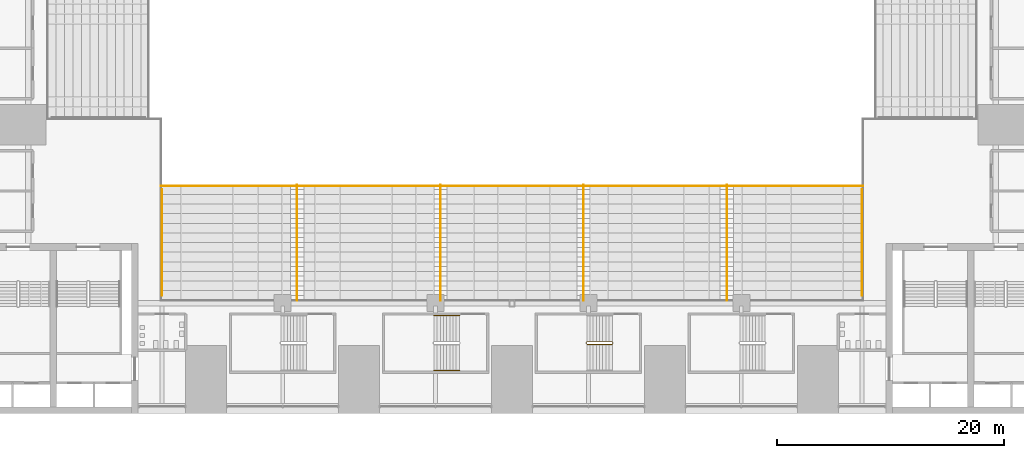
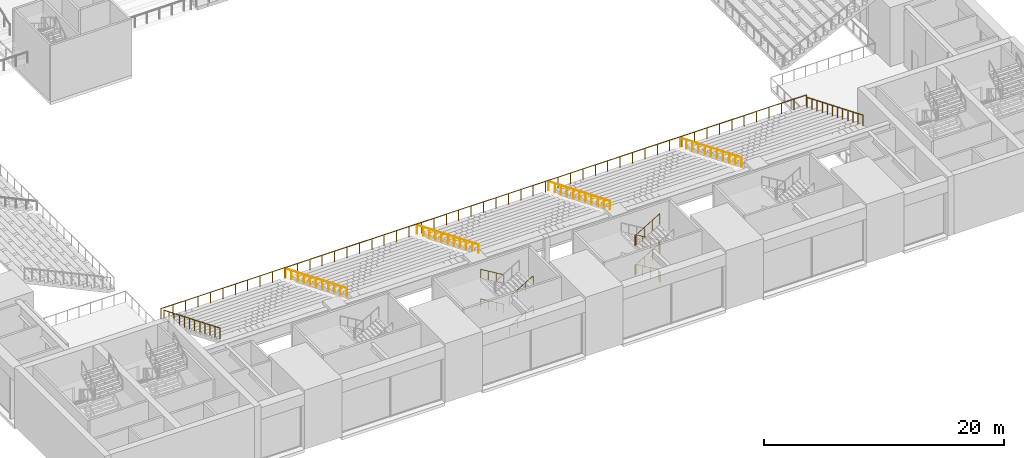
# One storey, part 52 of 61: 4 railings.
"""IFC4 building model written with IfcOpenShell, lengths in metres."""

from ifc_helpers import new_model, si_unit, direction, frame, origin, origin_2d, place, context, subcontext, project, spatial, circle, extrude, material, type_object, element, save


model = new_model("IFC4")

# Units and contexts
model_context = context("Model", 3, precision=1e-05, world=origin(), true_north=direction((0.0, 1.0)))
body_context = subcontext(model_context, "Body", "Model", "MODEL_VIEW")
ifc_project = project(units=[si_unit("LENGTHUNIT", "METRE"), si_unit("AREAUNIT", "SQUARE_METRE"), si_unit("VOLUMEUNIT", "CUBIC_METRE"), si_unit("PLANEANGLEUNIT", "RADIAN"), si_unit("MASSUNIT", "GRAM", prefix="KILO")], contexts=[model_context])

# Site, building, storey
site_placement = place(None, origin())
site = spatial("IfcSite", under=ifc_project, at=site_placement, CompositionType="ELEMENT")
building_placement = place(site_placement, origin())
building = spatial("IfcBuilding", under=site, at=building_placement, Name="Corbelhall Arena Tower", CompositionType="ELEMENT")
storey_placement = place(building_placement, frame((0.0, 0.0, 31.0)))
storey = spatial("IfcBuildingStorey", under=building, at=storey_placement, Name="L04", CompositionType="ELEMENT", Elevation=31.0)

# Railings
ifc_material_1 = material(Name="Stainless steel A4 and laminated glass", Category="steel")
railing_type_1 = type_object("IfcRailingType", Name="AR-GUARD-GLASS", PredefinedType="GUARDRAIL", material=ifc_material_1)
railing_1_placement = place(storey_placement, frame((31.0, -18.89990234375, 1.800048828125)))
element("IfcRailing", 1, at=railing_1_placement, inside=storey, type_object=railing_type_1, Name="Tier guards US", PredefinedType="GUARDRAIL", context=body_context, shape_type="SweptSolid", body=[
    extrude(circle(Radius=0.02392578125, at=origin_2d()), frame((0.0, 0.0, 1.076171875), z_axis=(-1.0, 0.0, 0.0), x_axis=(0.0, -1.0, 0.0)), (0.0, 0.0, 1.0), 62.0),
    extrude(circle(Radius=0.02392578125, at=origin_2d()), frame((-0.1201171875, -0.3251953125, 1.076171875), z_axis=(0.0, -0.924711104172, 0.38066963869), x_axis=(1.0, 0.0, 0.0)), (0.0, 0.0, 1.0), 0.9189453125),
    extrude(circle(Radius=0.02392578125, at=origin_2d()), frame((-0.1201171875, -1.175048828125, 1.42578125), z_axis=(0.0, -0.924656098445, 0.380803229515), x_axis=(1.0, 0.0, 0.0)), (0.0, 0.0, 1.0), 0.91943359375),
    extrude(circle(Radius=0.02392578125, at=origin_2d()), frame((-0.1201171875, -2.025146484375, 1.77587890625), z_axis=(0.0, -0.924617576102, 0.380896754993), x_axis=(1.0, 0.0, 0.0)), (0.0, 0.0, 1.0), 0.919189453125),
    extrude(circle(Radius=0.02392578125, at=origin_2d()), frame((-0.1201171875, -2.875, 2.1259765625), z_axis=(0.0, -0.924749584479, 0.380576150074), x_axis=(1.0, 0.0, 0.0)), (0.0, 0.0, 1.0), 0.919189453125),
    extrude(circle(Radius=0.02392578125, at=origin_2d()), frame((-0.1201171875, -3.72509765625, 2.47607421875), z_axis=(0.0, -0.924656098445, 0.380803229515), x_axis=(1.0, 0.0, 0.0)), (0.0, 0.0, 1.0), 0.91943359375),
    extrude(circle(Radius=0.02392578125, at=origin_2d()), frame((-0.1201171875, -4.5751953125, 2.826171875), z_axis=(0.0, -0.924711104172, 0.38066963869), x_axis=(1.0, 0.0, 0.0)), (0.0, 0.0, 1.0), 0.9189453125),
    extrude(circle(Radius=0.02392578125, at=origin_2d()), frame((-0.1201171875, -5.425048828125, 3.17578125), z_axis=(0.0, -0.924656098445, 0.380803229515), x_axis=(1.0, 0.0, 0.0)), (0.0, 0.0, 1.0), 0.91943359375),
    extrude(circle(Radius=0.02392578125, at=origin_2d()), frame((-0.1201171875, -6.275146484375, 3.52587890625), z_axis=(0.0, -0.924617576102, 0.380896754993), x_axis=(1.0, 0.0, 0.0)), (0.0, 0.0, 1.0), 0.919189453125),
    extrude(circle(Radius=0.02392578125, at=origin_2d()), frame((-0.1201171875, -7.125, 3.8759765625), z_axis=(0.0, -0.924749584479, 0.380576150074), x_axis=(1.0, 0.0, 0.0)), (0.0, 0.0, 1.0), 0.919189453125),
    extrude(circle(Radius=0.02392578125, at=origin_2d()), frame((-0.1201171875, -7.97509765625, 4.22607421875), z_axis=(0.0, -0.924656098445, 0.380803229515), x_axis=(1.0, 0.0, 0.0)), (0.0, 0.0, 1.0), 0.91943359375),
    extrude(circle(Radius=0.02392578125, at=origin_2d()), frame((-0.1201171875, -8.8251953125, 4.576171875), z_axis=(0.0, -0.924711104172, 0.38066963869), x_axis=(1.0, 0.0, 0.0)), (0.0, 0.0, 1.0), 0.9189453125),
    extrude(circle(Radius=0.02392578125, at=origin_2d()), frame((-61.8798828125, -0.3251953125, 1.076171875), z_axis=(0.0, -0.924711104172, 0.38066963869), x_axis=(1.0, 0.0, 0.0)), (0.0, 0.0, 1.0), 0.9189453125),
    extrude(circle(Radius=0.02392578125, at=origin_2d()), frame((-61.8798828125, -1.175048828125, 1.42578125), z_axis=(0.0, -0.924656098445, 0.380803229515), x_axis=(1.0, 0.0, 0.0)), (0.0, 0.0, 1.0), 0.91943359375),
    extrude(circle(Radius=0.02392578125, at=origin_2d()), frame((-61.8798828125, -2.025146484375, 1.77587890625), z_axis=(0.0, -0.924617576102, 0.380896754993), x_axis=(1.0, 0.0, 0.0)), (0.0, 0.0, 1.0), 0.919189453125),
    extrude(circle(Radius=0.02392578125, at=origin_2d()), frame((-61.8798828125, -2.875, 2.1259765625), z_axis=(0.0, -0.924749584479, 0.380576150074), x_axis=(1.0, 0.0, 0.0)), (0.0, 0.0, 1.0), 0.919189453125),
    extrude(circle(Radius=0.02392578125, at=origin_2d()), frame((-61.8798828125, -3.72509765625, 2.47607421875), z_axis=(0.0, -0.924656098445, 0.380803229515), x_axis=(1.0, 0.0, 0.0)), (0.0, 0.0, 1.0), 0.91943359375),
    extrude(circle(Radius=0.02392578125, at=origin_2d()), frame((-61.8798828125, -4.5751953125, 2.826171875), z_axis=(0.0, -0.924711104172, 0.38066963869), x_axis=(1.0, 0.0, 0.0)), (0.0, 0.0, 1.0), 0.9189453125),
    extrude(circle(Radius=0.02392578125, at=origin_2d()), frame((-61.8798828125, -5.425048828125, 3.17578125), z_axis=(0.0, -0.924656098445, 0.380803229515), x_axis=(1.0, 0.0, 0.0)), (0.0, 0.0, 1.0), 0.91943359375),
    extrude(circle(Radius=0.02392578125, at=origin_2d()), frame((-61.8798828125, -6.275146484375, 3.52587890625), z_axis=(0.0, -0.924617576102, 0.380896754993), x_axis=(1.0, 0.0, 0.0)), (0.0, 0.0, 1.0), 0.919189453125),
    extrude(circle(Radius=0.02392578125, at=origin_2d()), frame((-61.8798828125, -7.125, 3.8759765625), z_axis=(0.0, -0.924749584479, 0.380576150074), x_axis=(1.0, 0.0, 0.0)), (0.0, 0.0, 1.0), 0.919189453125),
    extrude(circle(Radius=0.02392578125, at=origin_2d()), frame((-61.8798828125, -7.97509765625, 4.22607421875), z_axis=(0.0, -0.924656098445, 0.380803229515), x_axis=(1.0, 0.0, 0.0)), (0.0, 0.0, 1.0), 0.91943359375),
    extrude(circle(Radius=0.02392578125, at=origin_2d()), frame((-61.8798828125, -8.8251953125, 4.576171875), z_axis=(0.0, -0.924711104172, 0.38066963869), x_axis=(1.0, 0.0, 0.0)), (0.0, 0.0, 1.0), 0.9189453125),
    extrude(circle(Radius=0.02099609375, at=origin_2d()), origin(), (0.0, 0.0, 1.0), 1.052001953125),
    extrude(circle(Radius=0.02099609375, at=origin_2d()), frame((-1.1923828125, 0.0, 0.0)), (0.0, 0.0, 1.0), 1.052001953125),
    extrude(circle(Radius=0.02099609375, at=origin_2d()), frame((-2.384521484375, 0.0, 0.0)), (0.0, 0.0, 1.0), 1.052001953125),
    extrude(circle(Radius=0.02099609375, at=origin_2d()), frame((-3.576904296875, 0.0, 0.0)), (0.0, 0.0, 1.0), 1.052001953125),
    extrude(circle(Radius=0.02099609375, at=origin_2d()), frame((-4.769287109375, 0.0, 0.0)), (0.0, 0.0, 1.0), 1.052001953125),
    extrude(circle(Radius=0.02099609375, at=origin_2d()), frame((-5.96142578125, 0.0, 0.0)), (0.0, 0.0, 1.0), 1.052001953125),
    extrude(circle(Radius=0.02099609375, at=origin_2d()), frame((-7.15380859375, 0.0, 0.0)), (0.0, 0.0, 1.0), 1.052001953125),
    extrude(circle(Radius=0.02099609375, at=origin_2d()), frame((-8.34619140625, 0.0, 0.0)), (0.0, 0.0, 1.0), 1.052001953125),
    extrude(circle(Radius=0.02099609375, at=origin_2d()), frame((-9.53857421875, 0.0, 0.0)), (0.0, 0.0, 1.0), 1.052001953125),
    extrude(circle(Radius=0.02099609375, at=origin_2d()), frame((-10.730712890625, 0.0, 0.0)), (0.0, 0.0, 1.0), 1.052001953125),
    extrude(circle(Radius=0.02099609375, at=origin_2d()), frame((-11.923095703125, 0.0, 0.0)), (0.0, 0.0, 1.0), 1.052001953125),
    extrude(circle(Radius=0.02099609375, at=origin_2d()), frame((-13.115478515625, 0.0, 0.0)), (0.0, 0.0, 1.0), 1.052001953125),
    extrude(circle(Radius=0.02099609375, at=origin_2d()), frame((-14.3076171875, 0.0, 0.0)), (0.0, 0.0, 1.0), 1.052001953125),
    extrude(circle(Radius=0.02099609375, at=origin_2d()), frame((-15.5, 0.0, 0.0)), (0.0, 0.0, 1.0), 1.052001953125),
    extrude(circle(Radius=0.02099609375, at=origin_2d()), frame((-16.6923828125, 0.0, 0.0)), (0.0, 0.0, 1.0), 1.052001953125),
    extrude(circle(Radius=0.02099609375, at=origin_2d()), frame((-17.884521484375, 0.0, 0.0)), (0.0, 0.0, 1.0), 1.052001953125),
    extrude(circle(Radius=0.02099609375, at=origin_2d()), frame((-19.076904296875, 0.0, 0.0)), (0.0, 0.0, 1.0), 1.052001953125),
    extrude(circle(Radius=0.02099609375, at=origin_2d()), frame((-20.269287109375, 0.0, 0.0)), (0.0, 0.0, 1.0), 1.052001953125),
    extrude(circle(Radius=0.02099609375, at=origin_2d()), frame((-21.46142578125, 0.0, 0.0)), (0.0, 0.0, 1.0), 1.052001953125),
    extrude(circle(Radius=0.02099609375, at=origin_2d()), frame((-22.65380859375, 0.0, 0.0)), (0.0, 0.0, 1.0), 1.052001953125),
    extrude(circle(Radius=0.02099609375, at=origin_2d()), frame((-23.84619140625, 0.0, 0.0)), (0.0, 0.0, 1.0), 1.052001953125),
    extrude(circle(Radius=0.02099609375, at=origin_2d()), frame((-25.03857421875, 0.0, 0.0)), (0.0, 0.0, 1.0), 1.052001953125),
    extrude(circle(Radius=0.02099609375, at=origin_2d()), frame((-26.230712890625, 0.0, 0.0)), (0.0, 0.0, 1.0), 1.052001953125),
    extrude(circle(Radius=0.02099609375, at=origin_2d()), frame((-27.423095703125, 0.0, 0.0)), (0.0, 0.0, 1.0), 1.052001953125),
    extrude(circle(Radius=0.02099609375, at=origin_2d()), frame((-28.615478515625, 0.0, 0.0)), (0.0, 0.0, 1.0), 1.052001953125),
    extrude(circle(Radius=0.02099609375, at=origin_2d()), frame((-29.8076171875, 0.0, 0.0)), (0.0, 0.0, 1.0), 1.052001953125),
    extrude(circle(Radius=0.02099609375, at=origin_2d()), frame((-31.0, 0.0, 0.0)), (0.0, 0.0, 1.0), 1.052001953125),
    extrude(circle(Radius=0.02099609375, at=origin_2d()), frame((-32.1923828125, 0.0, 0.0)), (0.0, 0.0, 1.0), 1.052001953125),
    extrude(circle(Radius=0.02099609375, at=origin_2d()), frame((-33.384521484375, 0.0, 0.0)), (0.0, 0.0, 1.0), 1.052001953125),
    extrude(circle(Radius=0.02099609375, at=origin_2d()), frame((-34.576904296875, 0.0, 0.0)), (0.0, 0.0, 1.0), 1.052001953125),
    extrude(circle(Radius=0.02099609375, at=origin_2d()), frame((-35.769287109375, 0.0, 0.0)), (0.0, 0.0, 1.0), 1.052001953125),
    extrude(circle(Radius=0.02099609375, at=origin_2d()), frame((-36.96142578125, 0.0, 0.0)), (0.0, 0.0, 1.0), 1.052001953125),
    extrude(circle(Radius=0.02099609375, at=origin_2d()), frame((-38.15380859375, 0.0, 0.0)), (0.0, 0.0, 1.0), 1.052001953125),
    extrude(circle(Radius=0.02099609375, at=origin_2d()), frame((-39.34619140625, 0.0, 0.0)), (0.0, 0.0, 1.0), 1.052001953125),
    extrude(circle(Radius=0.02099609375, at=origin_2d()), frame((-40.53857421875, 0.0, 0.0)), (0.0, 0.0, 1.0), 1.052001953125),
    extrude(circle(Radius=0.02099609375, at=origin_2d()), frame((-41.730712890625, 0.0, 0.0)), (0.0, 0.0, 1.0), 1.052001953125),
    extrude(circle(Radius=0.02099609375, at=origin_2d()), frame((-42.923095703125, 0.0, 0.0)), (0.0, 0.0, 1.0), 1.052001953125),
    extrude(circle(Radius=0.02099609375, at=origin_2d()), frame((-44.115478515625, 0.0, 0.0)), (0.0, 0.0, 1.0), 1.052001953125),
    extrude(circle(Radius=0.02099609375, at=origin_2d()), frame((-45.3076171875, 0.0, 0.0)), (0.0, 0.0, 1.0), 1.052001953125),
    extrude(circle(Radius=0.02099609375, at=origin_2d()), frame((-46.5, 0.0, 0.0)), (0.0, 0.0, 1.0), 1.052001953125),
    extrude(circle(Radius=0.02099609375, at=origin_2d()), frame((-47.6923828125, 0.0, 0.0)), (0.0, 0.0, 1.0), 1.052001953125),
    extrude(circle(Radius=0.02099609375, at=origin_2d()), frame((-48.884521484375, 0.0, 0.0)), (0.0, 0.0, 1.0), 1.052001953125),
    extrude(circle(Radius=0.02099609375, at=origin_2d()), frame((-50.076904296875, 0.0, 0.0)), (0.0, 0.0, 1.0), 1.052001953125),
    extrude(circle(Radius=0.02099609375, at=origin_2d()), frame((-51.269287109375, 0.0, 0.0)), (0.0, 0.0, 1.0), 1.052001953125),
    extrude(circle(Radius=0.02099609375, at=origin_2d()), frame((-52.46142578125, 0.0, 0.0)), (0.0, 0.0, 1.0), 1.052001953125),
    extrude(circle(Radius=0.02099609375, at=origin_2d()), frame((-53.65380859375, 0.0, 0.0)), (0.0, 0.0, 1.0), 1.052001953125),
    extrude(circle(Radius=0.02099609375, at=origin_2d()), frame((-54.84619140625, 0.0, 0.0)), (0.0, 0.0, 1.0), 1.052001953125),
    extrude(circle(Radius=0.02099609375, at=origin_2d()), frame((-56.03857421875, 0.0, 0.0)), (0.0, 0.0, 1.0), 1.052001953125),
    extrude(circle(Radius=0.02099609375, at=origin_2d()), frame((-57.230712890625, 0.0, 0.0)), (0.0, 0.0, 1.0), 1.052001953125),
    extrude(circle(Radius=0.02099609375, at=origin_2d()), frame((-58.423095703125, 0.0, 0.0)), (0.0, 0.0, 1.0), 1.052001953125),
    extrude(circle(Radius=0.02099609375, at=origin_2d()), frame((-59.615478515625, 0.0, 0.0)), (0.0, 0.0, 1.0), 1.052001953125),
    extrude(circle(Radius=0.02099609375, at=origin_2d()), frame((-60.8076171875, 0.0, 0.0)), (0.0, 0.0, 1.0), 1.052001953125),
    extrude(circle(Radius=0.02099609375, at=origin_2d()), frame((-62.0, 0.0, 0.0)), (0.0, 0.0, 1.0), 1.052001953125),
    extrude(circle(Radius=0.02099609375, at=origin_2d()), frame((-0.1201171875, -0.3251953125, 0.0)), (0.0, 0.0, 1.0), 1.052001953125),
    extrude(circle(Radius=0.02099609375, at=origin_2d()), frame((-0.1201171875, -1.175048828125, 0.349853515625)), (0.0, 0.0, 1.0), 1.052001953125),
    extrude(circle(Radius=0.02099609375, at=origin_2d()), frame((-0.1201171875, -2.025146484375, 0.699951171875)), (0.0, 0.0, 1.0), 1.052001953125),
    extrude(circle(Radius=0.02099609375, at=origin_2d()), frame((-0.1201171875, -2.875, 1.050048828125)), (0.0, 0.0, 1.0), 1.052001953125),
    extrude(circle(Radius=0.02099609375, at=origin_2d()), frame((-0.1201171875, -3.72509765625, 1.39990234375)), (0.0, 0.0, 1.0), 1.052001953125),
    extrude(circle(Radius=0.02099609375, at=origin_2d()), frame((-0.1201171875, -4.5751953125, 1.75)), (0.0, 0.0, 1.0), 1.052001953125),
    extrude(circle(Radius=0.02099609375, at=origin_2d()), frame((-0.1201171875, -5.425048828125, 2.099853515625)), (0.0, 0.0, 1.0), 1.052001953125),
    extrude(circle(Radius=0.02099609375, at=origin_2d()), frame((-0.1201171875, -6.275146484375, 2.449951171875)), (0.0, 0.0, 1.0), 1.052001953125),
    extrude(circle(Radius=0.02099609375, at=origin_2d()), frame((-0.1201171875, -7.125, 2.800048828125)), (0.0, 0.0, 1.0), 1.052001953125),
    extrude(circle(Radius=0.02099609375, at=origin_2d()), frame((-0.1201171875, -7.97509765625, 3.14990234375)), (0.0, 0.0, 1.0), 1.052001953125),
    extrude(circle(Radius=0.02099609375, at=origin_2d()), frame((-0.1201171875, -8.8251953125, 3.5)), (0.0, 0.0, 1.0), 1.052001953125),
    extrude(circle(Radius=0.02099609375, at=origin_2d()), frame((-0.1201171875, -9.675048828125, 3.849853515625)), (0.0, 0.0, 1.0), 1.052001953125),
    extrude(circle(Radius=0.02099609375, at=origin_2d()), frame((-61.8798828125, -0.3251953125, 0.0)), (0.0, 0.0, 1.0), 1.052001953125),
    extrude(circle(Radius=0.02099609375, at=origin_2d()), frame((-61.8798828125, -1.175048828125, 0.349853515625)), (0.0, 0.0, 1.0), 1.052001953125),
    extrude(circle(Radius=0.02099609375, at=origin_2d()), frame((-61.8798828125, -2.025146484375, 0.699951171875)), (0.0, 0.0, 1.0), 1.052001953125),
    extrude(circle(Radius=0.02099609375, at=origin_2d()), frame((-61.8798828125, -2.875, 1.050048828125)), (0.0, 0.0, 1.0), 1.052001953125),
    extrude(circle(Radius=0.02099609375, at=origin_2d()), frame((-61.8798828125, -3.72509765625, 1.39990234375)), (0.0, 0.0, 1.0), 1.052001953125),
    extrude(circle(Radius=0.02099609375, at=origin_2d()), frame((-61.8798828125, -4.5751953125, 1.75)), (0.0, 0.0, 1.0), 1.052001953125),
    extrude(circle(Radius=0.02099609375, at=origin_2d()), frame((-61.8798828125, -5.425048828125, 2.099853515625)), (0.0, 0.0, 1.0), 1.052001953125),
    extrude(circle(Radius=0.02099609375, at=origin_2d()), frame((-61.8798828125, -6.275146484375, 2.449951171875)), (0.0, 0.0, 1.0), 1.052001953125),
    extrude(circle(Radius=0.02099609375, at=origin_2d()), frame((-61.8798828125, -7.125, 2.800048828125)), (0.0, 0.0, 1.0), 1.052001953125),
    extrude(circle(Radius=0.02099609375, at=origin_2d()), frame((-61.8798828125, -7.97509765625, 3.14990234375)), (0.0, 0.0, 1.0), 1.052001953125),
    extrude(circle(Radius=0.02099609375, at=origin_2d()), frame((-61.8798828125, -8.8251953125, 3.5)), (0.0, 0.0, 1.0), 1.052001953125),
    extrude(circle(Radius=0.02099609375, at=origin_2d()), frame((-61.8798828125, -9.675048828125, 3.849853515625)), (0.0, 0.0, 1.0), 1.052001953125),
])
ifc_material_2 = material(Name="Stainless steel A4", Category="steel")
railing_type_2 = type_object("IfcRailingType", Name="AR-HANDRAIL-AISLE", PredefinedType="HANDRAIL", material=ifc_material_2)
railing_2_placement = place(storey_placement, frame((18.9599609375, -18.800048828125, 1.800048828125)))
element("IfcRailing", 2, at=railing_2_placement, inside=storey, type_object=railing_type_2, Name="Aisle handrails US", PredefinedType="HANDRAIL", context=body_context, shape_type="SweptSolid", body=[
    extrude(circle(Radius=0.02392578125, at=origin_2d()), frame((0.0, 0.0, 0.8759765625), z_axis=(0.0, -0.924679015208, 0.380747578894), x_axis=(1.0, 0.0, 0.0)), (0.0, 0.0, 1.0), 11.03076171875),
    extrude(circle(Radius=0.02392578125, at=origin_2d()), frame((-12.639892578125, 0.0, 0.8759765625), z_axis=(0.0, -0.924679015208, 0.380747578894), x_axis=(1.0, 0.0, 0.0)), (0.0, 0.0, 1.0), 11.03076171875),
    extrude(circle(Radius=0.02392578125, at=origin_2d()), frame((-25.280029296875, 0.0, 0.8759765625), z_axis=(0.0, -0.924679015208, 0.380747578894), x_axis=(1.0, 0.0, 0.0)), (0.0, 0.0, 1.0), 11.03076171875),
    extrude(circle(Radius=0.02392578125, at=origin_2d()), frame((-37.919921875, 0.0, 0.8759765625), z_axis=(0.0, -0.924679015208, 0.380747578894), x_axis=(1.0, 0.0, 0.0)), (0.0, 0.0, 1.0), 11.03076171875),
    extrude(circle(Radius=0.02099609375, at=origin_2d()), origin(), (0.0, 0.0, 1.0), 0.851806640625),
    extrude(circle(Radius=0.02099609375, at=origin_2d()), frame((0.0, -1.02001953125, 0.419921875)), (0.0, 0.0, 1.0), 0.851806640625),
    extrude(circle(Radius=0.02099609375, at=origin_2d()), frame((0.0, -2.0400390625, 0.840087890625)), (0.0, 0.0, 1.0), 0.851806640625),
    extrude(circle(Radius=0.02099609375, at=origin_2d()), frame((0.0, -3.06005859375, 1.260009765625)), (0.0, 0.0, 1.0), 0.851806640625),
    extrude(circle(Radius=0.02099609375, at=origin_2d()), frame((0.0, -4.080078125, 1.679931640625)), (0.0, 0.0, 1.0), 0.851806640625),
    extrude(circle(Radius=0.02099609375, at=origin_2d()), frame((0.0, -5.10009765625, 2.10009765625)), (0.0, 0.0, 1.0), 0.851806640625),
    extrude(circle(Radius=0.02099609375, at=origin_2d()), frame((0.0, -6.119873046875, 2.52001953125)), (0.0, 0.0, 1.0), 0.851806640625),
    extrude(circle(Radius=0.02099609375, at=origin_2d()), frame((0.0, -7.139892578125, 2.93994140625)), (0.0, 0.0, 1.0), 0.851806640625),
    extrude(circle(Radius=0.02099609375, at=origin_2d()), frame((0.0, -8.159912109375, 3.35986328125)), (0.0, 0.0, 1.0), 0.851806640625),
    extrude(circle(Radius=0.02099609375, at=origin_2d()), frame((0.0, -9.179931640625, 3.780029296875)), (0.0, 0.0, 1.0), 0.851806640625),
    extrude(circle(Radius=0.02099609375, at=origin_2d()), frame((0.0, -10.199951171875, 4.199951171875)), (0.0, 0.0, 1.0), 0.851806640625),
    extrude(circle(Radius=0.02099609375, at=origin_2d()), frame((-12.639892578125, 0.0, 0.0)), (0.0, 0.0, 1.0), 0.851806640625),
    extrude(circle(Radius=0.02099609375, at=origin_2d()), frame((-12.639892578125, -1.02001953125, 0.419921875)), (0.0, 0.0, 1.0), 0.851806640625),
    extrude(circle(Radius=0.02099609375, at=origin_2d()), frame((-12.639892578125, -2.0400390625, 0.840087890625)), (0.0, 0.0, 1.0), 0.851806640625),
    extrude(circle(Radius=0.02099609375, at=origin_2d()), frame((-12.639892578125, -3.06005859375, 1.260009765625)), (0.0, 0.0, 1.0), 0.851806640625),
    extrude(circle(Radius=0.02099609375, at=origin_2d()), frame((-12.639892578125, -4.080078125, 1.679931640625)), (0.0, 0.0, 1.0), 0.851806640625),
    extrude(circle(Radius=0.02099609375, at=origin_2d()), frame((-12.639892578125, -5.10009765625, 2.10009765625)), (0.0, 0.0, 1.0), 0.851806640625),
    extrude(circle(Radius=0.02099609375, at=origin_2d()), frame((-12.639892578125, -6.119873046875, 2.52001953125)), (0.0, 0.0, 1.0), 0.851806640625),
    extrude(circle(Radius=0.02099609375, at=origin_2d()), frame((-12.639892578125, -7.139892578125, 2.93994140625)), (0.0, 0.0, 1.0), 0.851806640625),
    extrude(circle(Radius=0.02099609375, at=origin_2d()), frame((-12.639892578125, -8.159912109375, 3.35986328125)), (0.0, 0.0, 1.0), 0.851806640625),
    extrude(circle(Radius=0.02099609375, at=origin_2d()), frame((-12.639892578125, -9.179931640625, 3.780029296875)), (0.0, 0.0, 1.0), 0.851806640625),
    extrude(circle(Radius=0.02099609375, at=origin_2d()), frame((-12.639892578125, -10.199951171875, 4.199951171875)), (0.0, 0.0, 1.0), 0.851806640625),
    extrude(circle(Radius=0.02099609375, at=origin_2d()), frame((-25.280029296875, 0.0, 0.0)), (0.0, 0.0, 1.0), 0.851806640625),
    extrude(circle(Radius=0.02099609375, at=origin_2d()), frame((-25.280029296875, -1.02001953125, 0.419921875)), (0.0, 0.0, 1.0), 0.851806640625),
    extrude(circle(Radius=0.02099609375, at=origin_2d()), frame((-25.280029296875, -2.0400390625, 0.840087890625)), (0.0, 0.0, 1.0), 0.851806640625),
    extrude(circle(Radius=0.02099609375, at=origin_2d()), frame((-25.280029296875, -3.06005859375, 1.260009765625)), (0.0, 0.0, 1.0), 0.851806640625),
    extrude(circle(Radius=0.02099609375, at=origin_2d()), frame((-25.280029296875, -4.080078125, 1.679931640625)), (0.0, 0.0, 1.0), 0.851806640625),
    extrude(circle(Radius=0.02099609375, at=origin_2d()), frame((-25.280029296875, -5.10009765625, 2.10009765625)), (0.0, 0.0, 1.0), 0.851806640625),
    extrude(circle(Radius=0.02099609375, at=origin_2d()), frame((-25.280029296875, -6.119873046875, 2.52001953125)), (0.0, 0.0, 1.0), 0.851806640625),
    extrude(circle(Radius=0.02099609375, at=origin_2d()), frame((-25.280029296875, -7.139892578125, 2.93994140625)), (0.0, 0.0, 1.0), 0.851806640625),
    extrude(circle(Radius=0.02099609375, at=origin_2d()), frame((-25.280029296875, -8.159912109375, 3.35986328125)), (0.0, 0.0, 1.0), 0.851806640625),
    extrude(circle(Radius=0.02099609375, at=origin_2d()), frame((-25.280029296875, -9.179931640625, 3.780029296875)), (0.0, 0.0, 1.0), 0.851806640625),
    extrude(circle(Radius=0.02099609375, at=origin_2d()), frame((-25.280029296875, -10.199951171875, 4.199951171875)), (0.0, 0.0, 1.0), 0.851806640625),
    extrude(circle(Radius=0.02099609375, at=origin_2d()), frame((-37.919921875, 0.0, 0.0)), (0.0, 0.0, 1.0), 0.851806640625),
    extrude(circle(Radius=0.02099609375, at=origin_2d()), frame((-37.919921875, -1.02001953125, 0.419921875)), (0.0, 0.0, 1.0), 0.851806640625),
    extrude(circle(Radius=0.02099609375, at=origin_2d()), frame((-37.919921875, -2.0400390625, 0.840087890625)), (0.0, 0.0, 1.0), 0.851806640625),
    extrude(circle(Radius=0.02099609375, at=origin_2d()), frame((-37.919921875, -3.06005859375, 1.260009765625)), (0.0, 0.0, 1.0), 0.851806640625),
    extrude(circle(Radius=0.02099609375, at=origin_2d()), frame((-37.919921875, -4.080078125, 1.679931640625)), (0.0, 0.0, 1.0), 0.851806640625),
    extrude(circle(Radius=0.02099609375, at=origin_2d()), frame((-37.919921875, -5.10009765625, 2.10009765625)), (0.0, 0.0, 1.0), 0.851806640625),
    extrude(circle(Radius=0.02099609375, at=origin_2d()), frame((-37.919921875, -6.119873046875, 2.52001953125)), (0.0, 0.0, 1.0), 0.851806640625),
    extrude(circle(Radius=0.02099609375, at=origin_2d()), frame((-37.919921875, -7.139892578125, 2.93994140625)), (0.0, 0.0, 1.0), 0.851806640625),
    extrude(circle(Radius=0.02099609375, at=origin_2d()), frame((-37.919921875, -8.159912109375, 3.35986328125)), (0.0, 0.0, 1.0), 0.851806640625),
    extrude(circle(Radius=0.02099609375, at=origin_2d()), frame((-37.919921875, -9.179931640625, 3.780029296875)), (0.0, 0.0, 1.0), 0.851806640625),
    extrude(circle(Radius=0.02099609375, at=origin_2d()), frame((-37.919921875, -10.199951171875, 4.199951171875)), (0.0, 0.0, 1.0), 0.851806640625),
])
railing_type_3 = type_object("IfcRailingType", Name="AR-STAIR-GUARD", PredefinedType="GUARDRAIL", material=ifc_material_2)
railing_3_placement = place(storey_placement, frame((8.85009765625, -32.64990234375, 0.166748046875)))
element("IfcRailing", 3, at=railing_3_placement, inside=storey, type_object=railing_type_3, Name="L04 AS15 stair guards", PredefinedType="GUARDRAIL", context=body_context, shape_type="SweptSolid", body=[
    extrude(circle(Radius=0.02392578125, at=origin_2d()), frame((0.0, 0.0, 1.076171875), z_axis=(-0.859305625298, 0.0, 0.511462454469), x_axis=(0.0, -1.0, 0.0)), (0.0, 0.0, 1.0), 2.606689453125),
    extrude(circle(Radius=0.02392578125, at=origin_2d()), frame((-2.2900390625, -0.050048828125, 2.4091796875), z_axis=(0.0, -1.0, 0.0), x_axis=(1.0, 0.0, 0.0)), (0.0, 0.0, 1.0), 0.150146484375),
    extrude(circle(Radius=0.02392578125, at=origin_2d()), frame((-2.239990234375, -0.25, 2.576171875), z_axis=(0.859305625298, 0.0, 0.511462454469), x_axis=(0.0, 1.0, 0.0)), (0.0, 0.0, 1.0), 2.606689453125),
    extrude(circle(Radius=0.02392578125, at=origin_2d()), frame((0.0498046875, -0.050048828125, 3.9091796875), z_axis=(0.0, -1.0, 0.0), x_axis=(1.0, 0.0, 0.0)), (0.0, 0.0, 1.0), 0.150146484375),
    extrude(circle(Radius=0.02392578125, at=origin_2d()), frame((0.0, 0.0, 4.076171875), z_axis=(-0.859305625298, 0.0, 0.511462454469), x_axis=(0.0, -1.0, 0.0)), (0.0, 0.0, 1.0), 2.606689453125),
    extrude(circle(Radius=0.02392578125, at=origin_2d()), frame((-2.2900390625, -0.050048828125, 5.4091796875), z_axis=(0.0, -1.0, 0.0), x_axis=(1.0, 0.0, 0.0)), (0.0, 0.0, 1.0), 0.150146484375),
    extrude(circle(Radius=0.02392578125, at=origin_2d()), frame((-2.239990234375, -0.25, 5.576171875), z_axis=(0.859305625298, 0.0, 0.511462454469), x_axis=(0.0, 1.0, 0.0)), (0.0, 0.0, 1.0), 2.606689453125),
    extrude(circle(Radius=0.02392578125, at=origin_2d()), frame((0.0498046875, -0.050048828125, 0.9091796875), z_axis=(0.0, -1.0, 0.0), x_axis=(1.0, 0.0, 0.0)), (0.0, 0.0, 1.0), 0.150146484375),
    extrude(circle(Radius=0.02099609375, at=origin_2d()), origin(), (0.0, 0.0, 1.0), 1.052001953125),
    extrude(circle(Radius=0.02099609375, at=origin_2d()), frame((-0.74658203125, 0.0, 0.4443359375)), (0.0, 0.0, 1.0), 1.052001953125),
    extrude(circle(Radius=0.02099609375, at=origin_2d()), frame((-1.493408203125, 0.0, 0.888916015625)), (0.0, 0.0, 1.0), 1.052001953125),
    extrude(circle(Radius=0.02099609375, at=origin_2d()), frame((-2.239990234375, 0.0, 1.333251953125)), (0.0, 0.0, 1.0), 1.052001953125),
    extrude(circle(Radius=0.02099609375, at=origin_2d()), frame((-2.2900390625, -0.050048828125, 1.333251953125)), (0.0, 0.0, 1.0), 1.052001953125),
    extrude(circle(Radius=0.02099609375, at=origin_2d()), frame((-2.2900390625, -0.2001953125, 1.333251953125)), (0.0, 0.0, 1.0), 1.052001953125),
    extrude(circle(Radius=0.02099609375, at=origin_2d()), frame((-2.239990234375, -0.25, 1.5)), (0.0, 0.0, 1.0), 1.052001953125),
    extrude(circle(Radius=0.02099609375, at=origin_2d()), frame((-1.493408203125, -0.25, 1.9443359375)), (0.0, 0.0, 1.0), 1.052001953125),
    extrude(circle(Radius=0.02099609375, at=origin_2d()), frame((-0.74658203125, -0.25, 2.388916015625)), (0.0, 0.0, 1.0), 1.052001953125),
    extrude(circle(Radius=0.02099609375, at=origin_2d()), frame((0.0, -0.25, 2.833251953125)), (0.0, 0.0, 1.0), 1.052001953125),
    extrude(circle(Radius=0.02099609375, at=origin_2d()), frame((0.0498046875, -0.050048828125, 2.833251953125)), (0.0, 0.0, 1.0), 1.052001953125),
    extrude(circle(Radius=0.02099609375, at=origin_2d()), frame((0.0498046875, -0.2001953125, 2.833251953125)), (0.0, 0.0, 1.0), 1.052001953125),
    extrude(circle(Radius=0.02099609375, at=origin_2d()), frame((0.0, 0.0, 3.0)), (0.0, 0.0, 1.0), 1.052001953125),
    extrude(circle(Radius=0.02099609375, at=origin_2d()), frame((-0.74658203125, 0.0, 3.4443359375)), (0.0, 0.0, 1.0), 1.052001953125),
    extrude(circle(Radius=0.02099609375, at=origin_2d()), frame((-1.493408203125, 0.0, 3.888916015625)), (0.0, 0.0, 1.0), 1.052001953125),
    extrude(circle(Radius=0.02099609375, at=origin_2d()), frame((-2.239990234375, 0.0, 4.333251953125)), (0.0, 0.0, 1.0), 1.052001953125),
    extrude(circle(Radius=0.02099609375, at=origin_2d()), frame((-2.2900390625, -0.050048828125, 4.333251953125)), (0.0, 0.0, 1.0), 1.052001953125),
    extrude(circle(Radius=0.02099609375, at=origin_2d()), frame((-2.2900390625, -0.2001953125, 4.333251953125)), (0.0, 0.0, 1.0), 1.052001953125),
    extrude(circle(Radius=0.02099609375, at=origin_2d()), frame((-2.239990234375, -0.25, 4.5)), (0.0, 0.0, 1.0), 1.052001953125),
    extrude(circle(Radius=0.02099609375, at=origin_2d()), frame((-1.493408203125, -0.25, 4.9443359375)), (0.0, 0.0, 1.0), 1.052001953125),
    extrude(circle(Radius=0.02099609375, at=origin_2d()), frame((-0.74658203125, -0.25, 5.388916015625)), (0.0, 0.0, 1.0), 1.052001953125),
    extrude(circle(Radius=0.02099609375, at=origin_2d()), frame((0.0, -0.25, 5.833251953125)), (0.0, 0.0, 1.0), 1.052001953125),
    extrude(circle(Radius=0.02099609375, at=origin_2d()), frame((0.0498046875, -0.050048828125, -0.166748046875)), (0.0, 0.0, 1.0), 1.052001953125),
    extrude(circle(Radius=0.02099609375, at=origin_2d()), frame((0.0498046875, -0.2001953125, -0.166748046875)), (0.0, 0.0, 1.0), 1.052001953125),
])
railing_type_4 = type_object("IfcRailingType", Name="AR-STAIR-HANDRAIL", PredefinedType="HANDRAIL", material=ifc_material_2)
railing_4_placement = place(storey_placement, frame((-4.64990234375, -30.35009765625, 0.166748046875)))
element("IfcRailing", 4, at=railing_4_placement, inside=storey, type_object=railing_type_4, Name="L04 AS14 stair handrails", PredefinedType="HANDRAIL", context=body_context, shape_type="SweptSolid", body=[
    extrude(circle(Radius=0.02392578125, at=origin_2d()), frame((0.0, 0.0, 0.8759765625), z_axis=(-0.859305625298, 0.0, 0.511462454469), x_axis=(0.0, -1.0, 0.0)), (0.0, 0.0, 1.0), 2.606689453125),
    extrude(circle(Radius=0.02392578125, at=origin_2d()), frame((-2.239990234375, -4.849853515625, 2.3759765625), z_axis=(0.859305625298, 0.0, 0.511462454469), x_axis=(0.0, 1.0, 0.0)), (0.0, 0.0, 1.0), 2.606689453125),
    extrude(circle(Radius=0.02392578125, at=origin_2d()), frame((0.0, 0.0, 3.8759765625), z_axis=(-0.859305625298, 0.0, 0.511462454469), x_axis=(0.0, -1.0, 0.0)), (0.0, 0.0, 1.0), 2.606689453125),
    extrude(circle(Radius=0.02392578125, at=origin_2d()), frame((-2.239990234375, -4.849853515625, 5.3759765625), z_axis=(0.859305625298, 0.0, 0.511462454469), x_axis=(0.0, 1.0, 0.0)), (0.0, 0.0, 1.0), 2.606689453125),
    extrude(circle(Radius=0.02099609375, at=origin_2d()), origin(), (0.0, 0.0, 1.0), 0.851806640625),
    extrude(circle(Radius=0.02099609375, at=origin_2d()), frame((-0.74658203125, 0.0, 0.4443359375)), (0.0, 0.0, 1.0), 0.851806640625),
    extrude(circle(Radius=0.02099609375, at=origin_2d()), frame((-1.493408203125, 0.0, 0.888916015625)), (0.0, 0.0, 1.0), 0.851806640625),
    extrude(circle(Radius=0.02099609375, at=origin_2d()), frame((-2.239990234375, 0.0, 1.333251953125)), (0.0, 0.0, 1.0), 0.851806640625),
    extrude(circle(Radius=0.02099609375, at=origin_2d()), frame((-2.239990234375, -4.849853515625, 1.5)), (0.0, 0.0, 1.0), 0.851806640625),
    extrude(circle(Radius=0.02099609375, at=origin_2d()), frame((-1.493408203125, -4.849853515625, 1.9443359375)), (0.0, 0.0, 1.0), 0.851806640625),
    extrude(circle(Radius=0.02099609375, at=origin_2d()), frame((-0.74658203125, -4.849853515625, 2.388916015625)), (0.0, 0.0, 1.0), 0.851806640625),
    extrude(circle(Radius=0.02099609375, at=origin_2d()), frame((0.0, -4.849853515625, 2.833251953125)), (0.0, 0.0, 1.0), 0.851806640625),
    extrude(circle(Radius=0.02099609375, at=origin_2d()), frame((0.0, 0.0, 3.0)), (0.0, 0.0, 1.0), 0.851806640625),
    extrude(circle(Radius=0.02099609375, at=origin_2d()), frame((-0.74658203125, 0.0, 3.4443359375)), (0.0, 0.0, 1.0), 0.851806640625),
    extrude(circle(Radius=0.02099609375, at=origin_2d()), frame((-1.493408203125, 0.0, 3.888916015625)), (0.0, 0.0, 1.0), 0.851806640625),
    extrude(circle(Radius=0.02099609375, at=origin_2d()), frame((-2.239990234375, 0.0, 4.333251953125)), (0.0, 0.0, 1.0), 0.851806640625),
    extrude(circle(Radius=0.02099609375, at=origin_2d()), frame((-2.239990234375, -4.849853515625, 4.5)), (0.0, 0.0, 1.0), 0.851806640625),
    extrude(circle(Radius=0.02099609375, at=origin_2d()), frame((-1.493408203125, -4.849853515625, 4.9443359375)), (0.0, 0.0, 1.0), 0.851806640625),
    extrude(circle(Radius=0.02099609375, at=origin_2d()), frame((-0.74658203125, -4.849853515625, 5.388916015625)), (0.0, 0.0, 1.0), 0.851806640625),
    extrude(circle(Radius=0.02099609375, at=origin_2d()), frame((0.0, -4.849853515625, 5.833251953125)), (0.0, 0.0, 1.0), 0.851806640625),
])

save(model, "model.ifc")
